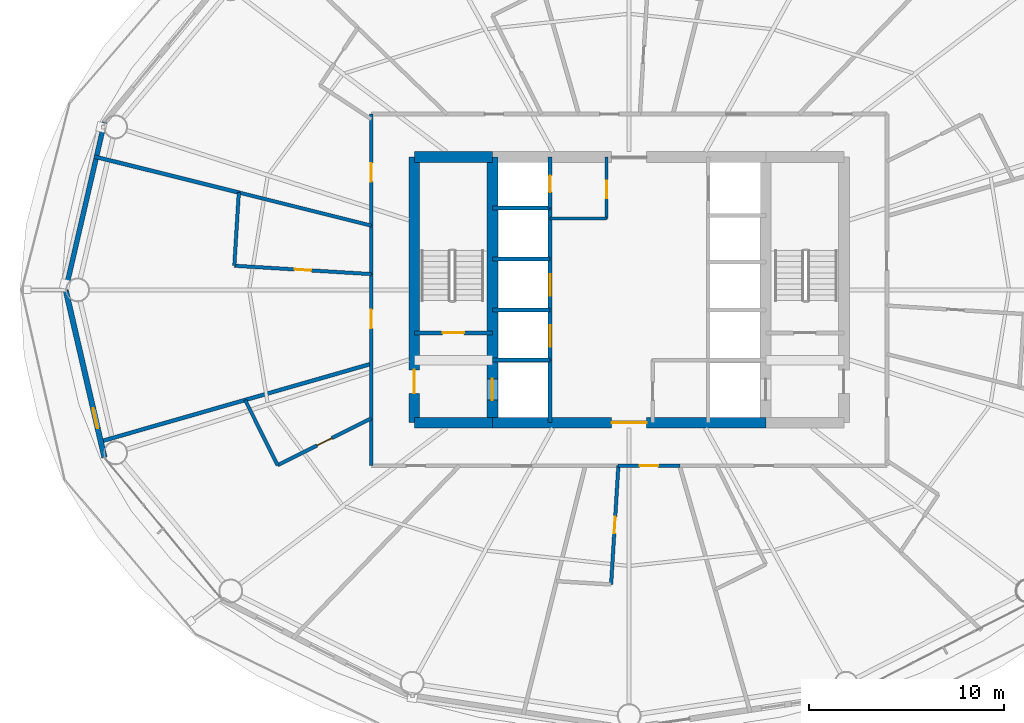
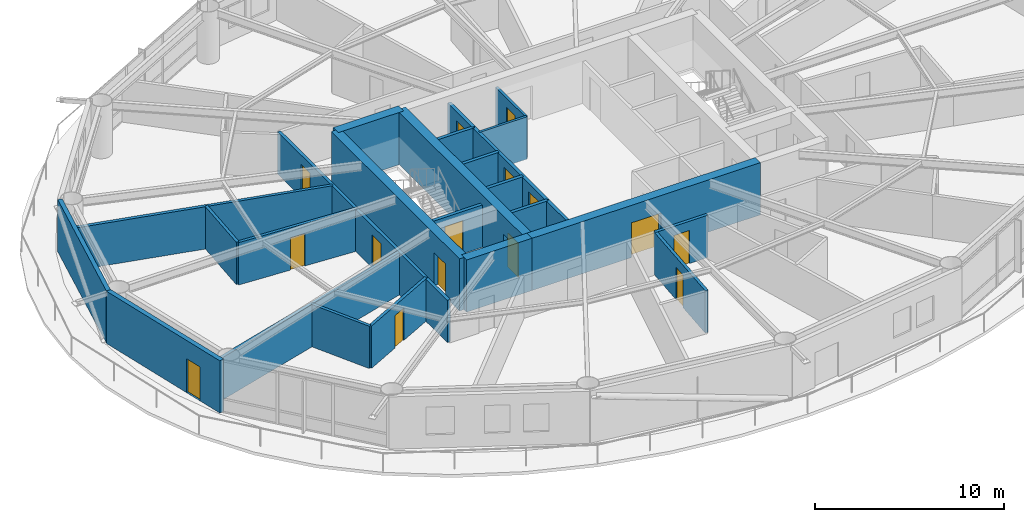
# One storey, part 18 of 24: 28 walls, 15 doors, 15 openings.
"""IFC4 building model written with IfcOpenShell, lengths in metres."""

from ifc_helpers import new_model, si_unit, direction, frame, frame_2d, origin, place, context, subcontext, project, spatial, rectangle, extrude, material, layer, layer_set, type_object, element, fill, save


model = new_model("IFC4")

# Units and contexts
model_context = context("Model", 3, precision=1e-05, world=origin(), true_north=direction((0.0, 1.0)))
body_context = subcontext(model_context, "Body", "Model", "MODEL_VIEW")
ifc_project = project(units=[si_unit("LENGTHUNIT", "METRE"), si_unit("AREAUNIT", "SQUARE_METRE"), si_unit("VOLUMEUNIT", "CUBIC_METRE"), si_unit("PLANEANGLEUNIT", "RADIAN"), si_unit("MASSUNIT", "GRAM", prefix="KILO")], contexts=[model_context])

# Site, building, storey
site_placement = place(None, origin())
site = spatial("IfcSite", under=ifc_project, at=site_placement, CompositionType="ELEMENT")
building_placement = place(site_placement, origin())
building = spatial("IfcBuilding", under=site, at=building_placement, Name="Sarneth Arch Tower", CompositionType="ELEMENT")
storey_placement = place(building_placement, frame((0.0, 0.0, 102.0)))
storey = spatial("IfcBuildingStorey", under=building, at=storey_placement, Name="L25", CompositionType="ELEMENT", Elevation=102.0)

# Wall
ifc_material_1 = material(Name="Concrete C60/75", Category="concrete")
ifc_layer_1 = layer(ifc_material_1, 0.550048828125)
ifc_layer_set_1 = layer_set([ifc_layer_1], Name="Concrete C60/75")
wall_type_1 = type_object("IfcWallType", Name="WALL-CORE-550", PredefinedType="SHEAR", material=ifc_layer_set_1)
wall_1_placement = place(storey_placement, frame((37.0, 35.199951171875, 0.0), z_axis=(0.0, 0.0, 1.0), x_axis=(1.0, 0.0, 0.0)))
element("IfcWall", 1, at=wall_1_placement, inside=storey, type_object=wall_type_1, Name="L25 Core shear wall S-W", PredefinedType="SHEAR", context=body_context, shape_type="SweptSolid", body=[
    extrude(rectangle(XDim=4.0, YDim=0.550048828125, at=frame_2d((2.0, 0.0))), origin(), (0.0, 0.0, 1.0), 3.3798828125),
])

# Wall, opening, door
wall_2_placement = place(storey_placement, frame((41.0, 35.199951171875, 0.0), z_axis=(0.0, 0.0, 1.0), x_axis=(1.0, 0.0, 0.0)))
wall_2 = element("IfcWall", 2, at=wall_2_placement, inside=storey, type_object=wall_type_1, Name="L25 Core shear wall S-M", PredefinedType="SHEAR", context=body_context, shape_type="SweptSolid", body=[
    extrude(rectangle(XDim=14.0, YDim=0.550048828125, at=frame_2d((7.0, 0.0))), origin(), (0.0, 0.0, 1.0), 3.3798828125),
])
opening_1_placement = place(wall_2_placement, frame((6.10009765625, 0.0, 0.0)))
opening_1 = element("IfcOpeningElement", 3, at=opening_1_placement, cuts=wall_2, Name="Opening FD-01", PredefinedType="OPENING", context=body_context, shape_type="SweptSolid", body=[
    extrude(rectangle(XDim=1.800048828125, YDim=2.25, at=frame_2d((0.89990234375, 1.125))), frame((0.0, 0.284912109375, 0.0), z_axis=(0.0, -1.0, 0.0), x_axis=(1.0, 0.0, 0.0)), (0.0, 0.0, 1.0), 0.570068359375),
])
ifc_material_2 = material(Name="Galvanised Steel S275 fire door set", Category="steel")
door_type_1 = type_object("IfcDoorType", Name="DR-FD90-1800", OperationType="DOUBLE_DOOR_SINGLE_SWING", PredefinedType="DOOR", material=ifc_material_2)
door_1_placement = place(opening_1_placement, origin())
door_1 = element("IfcDoor", 4, at=door_1_placement, inside=storey, type_object=door_type_1, Name="L25 Central lift lobby south door", OperationType="DOUBLE_DOOR_SINGLE_SWING", OverallHeight=2.25, OverallWidth=1.800048828125, PredefinedType="DOOR", context=body_context, shape_type="SweptSolid", body=[
    extrude(rectangle(XDim=1.800048828125, YDim=2.25, at=frame_2d((0.89990234375, 1.125))), frame((0.0, 0.02490234375, 0.0), z_axis=(0.0, -1.0, 0.0), x_axis=(1.0, 0.0, 0.0)), (0.0, 0.0, 1.0), 0.050048828125),
])
fill(opening_1, door_1)

# Wall
wall_3_placement = place(storey_placement, frame((37.0, 48.800048828125, 0.0), z_axis=(0.0, 0.0, 1.0), x_axis=(1.0, 0.0, 0.0)))
element("IfcWall", 5, at=wall_3_placement, inside=storey, type_object=wall_type_1, Name="L25 Core shear wall N-W", PredefinedType="SHEAR", context=body_context, shape_type="SweptSolid", body=[
    extrude(rectangle(XDim=4.0, YDim=0.550048828125, at=frame_2d((2.0, 0.0))), origin(), (0.0, 0.0, 1.0), 3.3798828125),
])

# Wall, opening, door
wall_4_placement = place(storey_placement, frame((37.0, 35.199951171875, 0.0), z_axis=(0.0, 0.0, 1.0), x_axis=(0.0, 1.0, 0.0)))
wall_4 = element("IfcWall", 6, at=wall_4_placement, inside=storey, type_object=wall_type_1, Name="L25 Core shear wall W", PredefinedType="SHEAR", context=body_context, shape_type="SweptSolid", body=[
    extrude(rectangle(XDim=13.60009765625, YDim=0.550048828125, at=frame_2d((6.800048828125, 0.0))), origin(), (0.0, 0.0, 1.0), 3.3798828125),
])
opening_2_placement = place(wall_4_placement, frame((1.5, 0.0, 0.0)))
opening_2 = element("IfcOpeningElement", 7, at=opening_2_placement, cuts=wall_4, Name="Opening FD-02", PredefinedType="OPENING", context=body_context, shape_type="SweptSolid", body=[
    extrude(rectangle(XDim=1.199951171875, YDim=2.14990234375, at=frame_2d((0.60009765625, 1.074951171875))), frame((0.0, 0.284912109375, 0.0), z_axis=(0.0, -1.0, 0.0), x_axis=(1.0, 0.0, 0.0)), (0.0, 0.0, 1.0), 0.570068359375),
])
ifc_material_3 = material(Name="Galvanised Steel S275 fire door set", Category="steel")
door_type_2 = type_object("IfcDoorType", Name="DR-FD90-1200", OperationType="SINGLE_SWING_LEFT", PredefinedType="DOOR", material=ifc_material_3)
door_2_placement = place(opening_2_placement, origin())
door_2 = element("IfcDoor", 8, at=door_2_placement, inside=storey, type_object=door_type_2, Name="L25 Firefighting lobby 1 exit door", OperationType="SINGLE_SWING_LEFT", OverallHeight=2.14990234375, OverallWidth=1.199951171875, PredefinedType="DOOR", context=body_context, shape_type="SweptSolid", body=[
    extrude(rectangle(XDim=1.199951171875, YDim=2.14990234375, at=frame_2d((0.60009765625, 1.074951171875))), frame((0.0, 0.02490234375, 0.0), z_axis=(0.0, -1.0, 0.0), x_axis=(1.0, 0.0, 0.0)), (0.0, 0.0, 1.0), 0.050048828125),
])
fill(opening_2, door_2)

wall_5_placement = place(storey_placement, frame((41.0, 35.199951171875, 0.0), z_axis=(0.0, 0.0, 1.0), x_axis=(0.0, 1.0, 0.0)))
wall_5 = element("IfcWall", 9, at=wall_5_placement, inside=storey, type_object=wall_type_1, Name="L25 Core shear wall WEB-W", PredefinedType="SHEAR", context=body_context, shape_type="SweptSolid", body=[
    extrude(rectangle(XDim=13.60009765625, YDim=0.550048828125, at=frame_2d((6.800048828125, 0.0))), origin(), (0.0, 0.0, 1.0), 3.3798828125),
])
opening_3_placement = place(wall_5_placement, frame((1.14990234375, 0.0, 0.0)))
opening_3 = element("IfcOpeningElement", 10, at=opening_3_placement, cuts=wall_5, Name="Opening LD-1", PredefinedType="OPENING", context=body_context, shape_type="SweptSolid", body=[
    extrude(rectangle(XDim=1.10009765625, YDim=2.199951171875, at=frame_2d((0.550048828125, 1.10009765625))), frame((0.0, 0.284912109375, 0.0), z_axis=(0.0, -1.0, 0.0), x_axis=(1.0, 0.0, 0.0)), (0.0, 0.0, 1.0), 0.570068359375),
])
ifc_material_4 = material(Name="Brushed Stainless Steel 304 lift landing door", Category="steel")
door_type_3 = type_object("IfcDoorType", Name="DR-LIFT-SLIDE-1100", OperationType="SLIDING_TO_LEFT", PredefinedType="DOOR", material=ifc_material_4)
door_3_placement = place(opening_3_placement, origin())
door_3 = element("IfcDoor", 11, at=door_3_placement, inside=storey, type_object=door_type_3, Name="L25 Firefighting lift landing door FL-1", OperationType="SLIDING_TO_LEFT", OverallHeight=2.199951171875, OverallWidth=1.10009765625, PredefinedType="DOOR", context=body_context, shape_type="SweptSolid", body=[
    extrude(rectangle(XDim=1.10009765625, YDim=2.199951171875, at=frame_2d((0.550048828125, 1.10009765625))), frame((0.0, 0.02490234375, 0.0), z_axis=(0.0, -1.0, 0.0), x_axis=(1.0, 0.0, 0.0)), (0.0, 0.0, 1.0), 0.050048828125),
])
fill(opening_3, door_3)

ifc_material_5 = material(Name="Double steel-stud corridor fire wall", Category="steel")
ifc_layer_2 = layer(ifc_material_5, 0.18994140625)
ifc_layer_set_2 = layer_set([ifc_layer_2], Name="Double steel-stud corridor fire wall")
wall_type_2 = type_object("IfcWallType", Name="WALL-CORR-190", PredefinedType="PARTITIONING", material=ifc_layer_set_2)
wall_6_placement = place(storey_placement, frame((34.800048828125, 42.775146484375, 0.0), z_axis=(0.0, 0.0, 1.0), x_axis=(0.0, 1.0, 0.0)))
wall_6 = element("IfcWall", 12, at=wall_6_placement, inside=storey, type_object=wall_type_2, Name="L25 Interior partition W-L25-TP-009", PredefinedType="PARTITIONING", context=body_context, shape_type="SweptSolid", body=[
    extrude(rectangle(XDim=8.224853515625, YDim=0.18994140625, at=frame_2d((4.1123046875, 0.0))), origin(), (0.0, 0.0, 1.0), 2.739990234375),
])
opening_4_placement = place(wall_6_placement, frame((4.7666015625, 0.0, 0.0)))
opening_4 = element("IfcOpeningElement", 13, at=opening_4_placement, cuts=wall_6, Name="Opening FD-09", PredefinedType="OPENING", context=body_context, shape_type="SweptSolid", body=[
    extrude(rectangle(XDim=0.949951171875, YDim=2.14990234375, at=frame_2d((0.47509765625, 1.074951171875))), frame((0.0, 0.10498046875, 0.0), z_axis=(0.0, -1.0, 0.0), x_axis=(1.0, 0.0, 0.0)), (0.0, 0.0, 1.0), 0.2099609375),
])
ifc_material_6 = material(Name="Hardwood timber hotel entrance fire door", Category="wood")
door_type_4 = type_object("IfcDoorType", Name="DR-FD60-950", OperationType="SINGLE_SWING_RIGHT", PredefinedType="DOOR", material=ifc_material_6)
door_4_placement = place(opening_4_placement, origin())
door_4 = element("IfcDoor", 14, at=door_4_placement, inside=storey, type_object=door_type_4, Name="L25 Interior door DR-L25-KEY-05", OperationType="SINGLE_SWING_LEFT", OverallHeight=2.14990234375, OverallWidth=0.949951171875, PredefinedType="DOOR", context=body_context, shape_type="SweptSolid", body=[
    extrude(rectangle(XDim=0.949951171875, YDim=2.14990234375, at=frame_2d((0.47509765625, 1.074951171875))), frame((0.0, 0.02490234375, 0.0), z_axis=(0.0, -1.0, 0.0), x_axis=(1.0, 0.0, 0.0)), (0.0, 0.0, 1.0), 0.050048828125),
])
fill(opening_4, door_4)

wall_7_placement = place(storey_placement, frame((34.800048828125, 33.0, 0.0), z_axis=(0.0, 0.0, 1.0), x_axis=(0.0, 1.0, 0.0)))
wall_7 = element("IfcWall", 15, at=wall_7_placement, inside=storey, type_object=wall_type_2, Name="L25 Interior partition W-L25-TP-012", PredefinedType="PARTITIONING", context=body_context, shape_type="SweptSolid", body=[
    extrude(rectangle(XDim=9.83935546875, YDim=0.18994140625, at=frame_2d((4.919677734375, 0.0))), origin(), (0.0, 0.0, 1.0), 2.739990234375),
])
opening_5_placement = place(wall_7_placement, frame((7.035400390625, 0.0, 0.0)))
opening_5 = element("IfcOpeningElement", 16, at=opening_5_placement, cuts=wall_7, Name="Opening FD-09", PredefinedType="OPENING", context=body_context, shape_type="SweptSolid", body=[
    extrude(rectangle(XDim=0.949951171875, YDim=2.14990234375, at=frame_2d((0.47509765625, 1.074951171875))), frame((0.0, 0.10498046875, 0.0), z_axis=(0.0, -1.0, 0.0), x_axis=(1.0, 0.0, 0.0)), (0.0, 0.0, 1.0), 0.2099609375),
])
door_5_placement = place(opening_5_placement, origin())
door_5 = element("IfcDoor", 17, at=door_5_placement, inside=storey, type_object=door_type_4, Name="L25 Interior door DR-L25-KEY-06", OperationType="SINGLE_SWING_RIGHT", OverallHeight=2.14990234375, OverallWidth=0.949951171875, PredefinedType="DOOR", context=body_context, shape_type="SweptSolid", body=[
    extrude(rectangle(XDim=0.949951171875, YDim=2.14990234375, at=frame_2d((0.47509765625, 1.074951171875))), frame((0.0, 0.02490234375, 0.0), z_axis=(0.0, -1.0, 0.0), x_axis=(1.0, 0.0, 0.0)), (0.0, 0.0, 1.0), 0.050048828125),
])
fill(opening_5, door_5)

wall_8_placement = place(storey_placement, frame((50.614013671875, 33.0, 0.0), z_axis=(0.0, 0.0, 1.0), x_axis=(-1.0, 0.0, 0.0)))
wall_8 = element("IfcWall", 18, at=wall_8_placement, inside=storey, type_object=wall_type_2, Name="L25 Interior partition W-L25-TP-018", PredefinedType="PARTITIONING", context=body_context, shape_type="SweptSolid", body=[
    extrude(rectangle(XDim=3.196533203125, YDim=0.18994140625, at=frame_2d((1.59814453125, 0.0))), origin(), (0.0, 0.0, 1.0), 2.739990234375),
])
opening_6_placement = place(wall_8_placement, frame((1.123291015625, 0.0, 0.0)))
opening_6 = element("IfcOpeningElement", 19, at=opening_6_placement, cuts=wall_8, Name="Opening FD-09", PredefinedType="OPENING", context=body_context, shape_type="SweptSolid", body=[
    extrude(rectangle(XDim=0.949951171875, YDim=2.14990234375, at=frame_2d((0.47509765625, 1.074951171875))), frame((0.0, 0.10498046875, 0.0), z_axis=(0.0, -1.0, 0.0), x_axis=(1.0, 0.0, 0.0)), (0.0, 0.0, 1.0), 0.2099609375),
])
door_6_placement = place(opening_6_placement, origin())
door_6 = element("IfcDoor", 20, at=door_6_placement, inside=storey, type_object=door_type_4, Name="L25 Interior door DR-L25-KEY-09", OperationType="SINGLE_SWING_RIGHT", OverallHeight=2.14990234375, OverallWidth=0.949951171875, PredefinedType="DOOR", context=body_context, shape_type="SweptSolid", body=[
    extrude(rectangle(XDim=0.949951171875, YDim=2.14990234375, at=frame_2d((0.47509765625, 1.074951171875))), frame((0.0, 0.02490234375, 0.0), z_axis=(0.0, -1.0, 0.0), x_axis=(1.0, 0.0, 0.0)), (0.0, 0.0, 1.0), 0.050048828125),
])
fill(opening_6, door_6)

# Wall
ifc_material_7 = material(Name="Extruded terracotta rainscreen on Concrete C40/50 backing", Category="masonry")
ifc_layer_3 = layer(ifc_material_7, 0.25)
ifc_layer_set_3 = layer_set([ifc_layer_3], Name="Extruded terracotta rainscreen on Concrete C40/50 backing")
wall_type_3 = type_object("IfcWallType", Name="WALL-EXT-SPAND-250", PredefinedType="SOLIDWALL", material=ifc_layer_set_3)
wall_9_placement = place(storey_placement, frame((21.138671875, 50.58349609375, 0.0), z_axis=(0.0, 0.0, 1.0), x_axis=(-0.22558597182, -0.974223264616, 0.0)))
element("IfcWall", 21, at=wall_9_placement, inside=storey, type_object=wall_type_3, Name="L25 Terracotta perimeter wall 08", PredefinedType="SOLIDWALL", context=body_context, shape_type="SweptSolid", body=[
    extrude(rectangle(XDim=8.810546875, YDim=0.25, at=frame_2d((4.4052734375, 0.0))), origin(), (0.0, 0.0, 1.0), 3.3798828125),
])

# Wall, opening, door
ifc_material_8 = material(Name="Extruded terracotta rainscreen on Concrete C40/50 backing", Category="masonry")
ifc_layer_4 = layer(ifc_material_8, 0.280029296875)
ifc_layer_set_4 = layer_set([ifc_layer_4], Name="Extruded terracotta rainscreen on Concrete C40/50 backing")
wall_type_4 = type_object("IfcWallType", Name="WALL-EXT-TERRA-280", PredefinedType="SOLIDWALL", material=ifc_layer_set_4)
wall_10_placement = place(storey_placement, frame((19.151123046875, 42.0, 0.0), z_axis=(0.0, 0.0, 1.0), x_axis=(0.22558597182, -0.974223264616, 0.0)))
wall_10 = element("IfcWall", 22, at=wall_10_placement, inside=storey, type_object=wall_type_4, Name="L25 Terracotta perimeter wall 09", PredefinedType="SOLIDWALL", context=body_context, shape_type="SweptSolid", body=[
    extrude(rectangle(XDim=8.810546875, YDim=0.280029296875, at=frame_2d((4.4052734375, 0.0))), origin(), (0.0, 0.0, 1.0), 3.3798828125),
])
opening_7_placement = place(wall_10_placement, frame((6.224609375, 0.0, 0.0)))
opening_7 = element("IfcOpeningElement", 23, at=opening_7_placement, cuts=wall_10, Name="Opening BD-4", PredefinedType="OPENING", context=body_context, shape_type="SweptSolid", body=[
    extrude(rectangle(XDim=1.050048828125, YDim=2.199951171875, at=frame_2d((0.52490234375, 1.10009765625))), frame((0.0, 0.14990234375, 0.0), z_axis=(0.0, -1.0, 0.0), x_axis=(1.0, 0.0, 0.0)), (0.0, 0.0, 1.0), 0.300048828125),
])
ifc_material_9 = material(Name="Thermally broken Aluminium 6063-T6 and laminated safety glass", Category="aluminium")
door_type_5 = type_object("IfcDoorType", Name="DR-BALC-GLZ-1050", OperationType="SINGLE_SWING_RIGHT", PredefinedType="DOOR", material=ifc_material_9)
door_7_placement = place(opening_7_placement, origin())
door_7 = element("IfcDoor", 24, at=door_7_placement, inside=storey, type_object=door_type_5, Name="L25 Balcony glazed door 09", OperationType="SINGLE_SWING_RIGHT", OverallHeight=2.199951171875, OverallWidth=1.050048828125, PredefinedType="DOOR", context=body_context, shape_type="SweptSolid", body=[
    extrude(rectangle(XDim=1.050048828125, YDim=2.199951171875, at=frame_2d((0.52490234375, 1.10009765625))), frame((0.0, 0.02490234375, 0.0), z_axis=(0.0, -1.0, 0.0), x_axis=(1.0, 0.0, 0.0)), (0.0, 0.0, 1.0), 0.050048828125),
])
fill(opening_7, door_7)

# Wall
ifc_material_10 = material(Name="Acoustic gypsum stud partition", Category="gypsum")
ifc_layer_5 = layer(ifc_material_10, 0.14990234375)
ifc_layer_set_5 = layer_set([ifc_layer_5], Name="Acoustic gypsum stud partition")
wall_type_5 = type_object("IfcWallType", Name="WALL-PART-150", PredefinedType="PARTITIONING", material=ifc_layer_set_5)
wall_11_placement = place(storey_placement, frame((43.949951171875, 45.64990234375, 0.0), z_axis=(0.0, 0.0, 1.0), x_axis=(1.0, 0.0, 0.0)))
element("IfcWall", 25, at=wall_11_placement, inside=storey, type_object=wall_type_5, Name="L25 Interior partition W-L25-CSUP1-S", PredefinedType="PARTITIONING", context=body_context, shape_type="SweptSolid", body=[
    extrude(rectangle(XDim=2.900146484375, YDim=0.14990234375, at=frame_2d((1.4501953125, 0.0))), origin(), (0.0, 0.0, 1.0), 2.739990234375),
])

# Wall, opening, door
wall_12_placement = place(storey_placement, frame((46.85009765625, 45.64990234375, 0.0), z_axis=(0.0, 0.0, 1.0), x_axis=(0.0, 1.0, 0.0)))
wall_12 = element("IfcWall", 26, at=wall_12_placement, inside=storey, type_object=wall_type_5, Name="L25 Interior partition W-L25-CSUP1-E", PredefinedType="PARTITIONING", context=body_context, shape_type="SweptSolid", body=[
    extrude(rectangle(XDim=3.150146484375, YDim=0.14990234375, at=frame_2d((1.5751953125, 0.0))), origin(), (0.0, 0.0, 1.0), 2.739990234375),
])
opening_8_placement = place(wall_12_placement, frame((1.050048828125, 0.0, 0.0)))
opening_8 = element("IfcOpeningElement", 27, at=opening_8_placement, cuts=wall_12, Name="Opening FD-10", PredefinedType="OPENING", context=body_context, shape_type="SweptSolid", body=[
    extrude(rectangle(XDim=0.89990234375, YDim=2.14990234375, at=frame_2d((0.449951171875, 1.074951171875))), frame((0.0, 0.0849609375, 0.0), z_axis=(0.0, -1.0, 0.0), x_axis=(1.0, 0.0, 0.0)), (0.0, 0.0, 1.0), 0.169921875),
])
ifc_material_11 = material(Name="Galvanised Steel S275 riser/service fire door", Category="steel")
door_type_6 = type_object("IfcDoorType", Name="DR-FD60-900", OperationType="SINGLE_SWING_LEFT", PredefinedType="DOOR", material=ifc_material_11)
door_8_placement = place(opening_8_placement, origin())
door_8 = element("IfcDoor", 28, at=door_8_placement, inside=storey, type_object=door_type_6, Name="L25 Interior door DR-L25-CSUP1", OperationType="SINGLE_SWING_LEFT", OverallHeight=2.14990234375, OverallWidth=0.89990234375, PredefinedType="DOOR", context=body_context, shape_type="SweptSolid", body=[
    extrude(rectangle(XDim=0.89990234375, YDim=2.14990234375, at=frame_2d((0.449951171875, 1.074951171875))), frame((0.0, 0.02490234375, 0.0), z_axis=(0.0, -1.0, 0.0), x_axis=(1.0, 0.0, 0.0)), (0.0, 0.0, 1.0), 0.050048828125),
])
fill(opening_8, door_8)

ifc_material_12 = material(Name="Moisture-resistant plumbing chase wall", Category="gypsum")
ifc_layer_6 = layer(ifc_material_12, 0.179931640625)
ifc_layer_set_6 = layer_set([ifc_layer_6], Name="Moisture-resistant plumbing chase wall")
wall_type_6 = type_object("IfcWallType", Name="WALL-PLUMB-180", PredefinedType="PLUMBINGWALL", material=ifc_layer_set_6)
wall_13_placement = place(storey_placement, frame((34.800048828125, 42.807373046875, 0.0), z_axis=(0.0, 0.0, 1.0), x_axis=(-0.998134708281, 0.061050013314, 0.0)))
wall_13 = element("IfcWall", 29, at=wall_13_placement, inside=storey, type_object=wall_type_6, Name="L25 Interior partition W-L25-TP-046", PredefinedType="PLUMBINGWALL", context=body_context, shape_type="SweptSolid", body=[
    extrude(rectangle(XDim=7.0263671875, YDim=0.179931640625, at=frame_2d((3.51318359375, 0.0))), origin(), (0.0, 0.0, 1.0), 2.739990234375),
])
opening_9_placement = place(wall_13_placement, frame((3.088134765625, 0.0, 0.0)))
opening_9 = element("IfcOpeningElement", 30, at=opening_9_placement, cuts=wall_13, Name="Opening ID-02", PredefinedType="OPENING", context=body_context, shape_type="SweptSolid", body=[
    extrude(rectangle(XDim=0.85009765625, YDim=2.10009765625, at=frame_2d((0.425048828125, 1.050048828125))), frame((0.0, 0.099853515625, 0.0), z_axis=(0.0, -1.0, 0.0), x_axis=(1.0, 0.0, 0.0)), (0.0, 0.0, 1.0), 0.199951171875),
])
ifc_material_13 = material(Name="Moisture-resistant bathroom timber door", Category="wood")
door_type_7 = type_object("IfcDoorType", Name="DR-INT-850", OperationType="SINGLE_SWING_RIGHT", PredefinedType="DOOR", material=ifc_material_13)
door_9_placement = place(opening_9_placement, origin())
door_9 = element("IfcDoor", 31, at=door_9_placement, inside=storey, type_object=door_type_7, Name="L25 Interior door DR-L25-ENS-06", OperationType="SINGLE_SWING_RIGHT", OverallHeight=2.10009765625, OverallWidth=0.85009765625, PredefinedType="DOOR", context=body_context, shape_type="SweptSolid", body=[
    extrude(rectangle(XDim=0.85009765625, YDim=2.10009765625, at=frame_2d((0.425048828125, 1.050048828125))), frame((0.0, 0.02490234375, 0.0), z_axis=(0.0, -1.0, 0.0), x_axis=(1.0, 0.0, 0.0)), (0.0, 0.0, 1.0), 0.050048828125),
])
fill(opening_9, door_9)

# Wall
wall_14_placement = place(storey_placement, frame((28.015869140625, 46.982666015625, 0.0), z_axis=(0.0, 0.0, 1.0), x_axis=(0.970290206094, -0.241944034764, 0.0)))
element("IfcWall", 32, at=wall_14_placement, inside=storey, type_object=wall_type_6, Name="L25 Interior partition W-L25-TP-045", PredefinedType="PLUMBINGWALL", context=body_context, shape_type="SweptSolid", body=[
    extrude(rectangle(XDim=6.991943359375, YDim=0.179931640625, at=frame_2d((3.49609375, 0.0))), origin(), (0.0, 0.0, 1.0), 2.739990234375),
])

# Wall, opening, door
wall_15_placement = place(storey_placement, frame((47.077392578125, 26.916259765625, 0.0), z_axis=(0.0, 0.0, 1.0), x_axis=(0.061044096749, 0.998135070144, 0.0)))
wall_15 = element("IfcWall", 33, at=wall_15_placement, inside=storey, type_object=wall_type_6, Name="L25 Interior partition W-L25-TP-056", PredefinedType="PLUMBINGWALL", context=body_context, shape_type="SweptSolid", body=[
    extrude(rectangle(XDim=6.09521484375, YDim=0.179931640625, at=frame_2d((3.047607421875, 0.0))), origin(), (0.0, 0.0, 1.0), 2.739990234375),
])
opening_10_placement = place(wall_15_placement, frame((2.62255859375, 0.0, 0.0)))
opening_10 = element("IfcOpeningElement", 34, at=opening_10_placement, cuts=wall_15, Name="Opening ID-02", PredefinedType="OPENING", context=body_context, shape_type="SweptSolid", body=[
    extrude(rectangle(XDim=0.85009765625, YDim=2.10009765625, at=frame_2d((0.425048828125, 1.050048828125))), frame((0.0, 0.099853515625, 0.0), z_axis=(0.0, -1.0, 0.0), x_axis=(1.0, 0.0, 0.0)), (0.0, 0.0, 1.0), 0.199951171875),
])
door_10_placement = place(opening_10_placement, origin())
door_10 = element("IfcDoor", 35, at=door_10_placement, inside=storey, type_object=door_type_7, Name="L25 Interior door DR-L25-ENS-09", OperationType="SINGLE_SWING_LEFT", OverallHeight=2.10009765625, OverallWidth=0.85009765625, PredefinedType="DOOR", context=body_context, shape_type="SweptSolid", body=[
    extrude(rectangle(XDim=0.85009765625, YDim=2.10009765625, at=frame_2d((0.425048828125, 1.050048828125))), frame((0.0, 0.02490234375, 0.0), z_axis=(0.0, -1.0, 0.0), x_axis=(1.0, 0.0, 0.0)), (0.0, 0.0, 1.0), 0.050048828125),
])
fill(opening_10, door_10)

wall_16_placement = place(storey_placement, frame((30.002197265625, 33.026611328125, 0.0), z_axis=(0.0, 0.0, 1.0), x_axis=(0.894936648514, 0.446193226244, 0.0)))
wall_16 = element("IfcWall", 36, at=wall_16_placement, inside=storey, type_object=wall_type_6, Name="L25 Interior partition W-L25-TP-051", PredefinedType="PLUMBINGWALL", context=body_context, shape_type="SweptSolid", body=[
    extrude(rectangle(XDim=5.361083984375, YDim=0.179931640625, at=frame_2d((2.6806640625, 0.0))), origin(), (0.0, 0.0, 1.0), 2.739990234375),
])
opening_11_placement = place(wall_16_placement, frame((2.255615234375, 0.0, 0.0)))
opening_11 = element("IfcOpeningElement", 37, at=opening_11_placement, cuts=wall_16, Name="Opening ID-02", PredefinedType="OPENING", context=body_context, shape_type="SweptSolid", body=[
    extrude(rectangle(XDim=0.85009765625, YDim=2.10009765625, at=frame_2d((0.425048828125, 1.050048828125))), frame((0.0, 0.099853515625, 0.0), z_axis=(0.0, -1.0, 0.0), x_axis=(1.0, 0.0, 0.0)), (0.0, 0.0, 1.0), 0.199951171875),
])
door_11_placement = place(opening_11_placement, origin())
door_11 = element("IfcDoor", 38, at=door_11_placement, inside=storey, type_object=door_type_7, Name="L25 Interior door DR-L25-ENS-07", OperationType="SINGLE_SWING_RIGHT", OverallHeight=2.10009765625, OverallWidth=0.85009765625, PredefinedType="DOOR", context=body_context, shape_type="SweptSolid", body=[
    extrude(rectangle(XDim=0.85009765625, YDim=2.10009765625, at=frame_2d((0.425048828125, 1.050048828125))), frame((0.0, 0.02490234375, 0.0), z_axis=(0.0, -1.0, 0.0), x_axis=(1.0, 0.0, 0.0)), (0.0, 0.0, 1.0), 0.050048828125),
])
fill(opening_11, door_11)

# Walls
wall_17_placement = place(storey_placement, frame((27.786865234375, 43.236328125, 0.0), z_axis=(0.0, 0.0, 1.0), x_axis=(0.061013519028, 0.998136939751, 0.0)))
element("IfcWall", 39, at=wall_17_placement, inside=storey, type_object=wall_type_6, Name="L25 Interior partition W-L25-TP-047", PredefinedType="PLUMBINGWALL", context=body_context, shape_type="SweptSolid", body=[
    extrude(rectangle(XDim=3.75341796875, YDim=0.179931640625, at=frame_2d((1.876708984375, 0.0))), origin(), (0.0, 0.0, 1.0), 2.739990234375),
])
wall_18_placement = place(storey_placement, frame((28.3388671875, 36.3623046875, 0.0), z_axis=(0.0, 0.0, 1.0), x_axis=(0.446243949247, -0.894911357488, 0.0)))
element("IfcWall", 40, at=wall_18_placement, inside=storey, type_object=wall_type_6, Name="L25 Interior partition W-L25-TP-050", PredefinedType="PLUMBINGWALL", context=body_context, shape_type="SweptSolid", body=[
    extrude(rectangle(XDim=3.727294921875, YDim=0.179931640625, at=frame_2d((1.86376953125, 0.0))), origin(), (0.0, 0.0, 1.0), 2.739990234375),
])

# Wall, opening, door
ifc_material_14 = material(Name="Aerated concrete blockwork C25/30", Category="masonry")
ifc_layer_7 = layer(ifc_material_14, 0.199951171875)
ifc_layer_set_7 = layer_set([ifc_layer_7], Name="Aerated concrete blockwork C25/30")
wall_type_7 = type_object("IfcWallType", Name="WALL-SHAFT-200", PredefinedType="SOLIDWALL", material=ifc_layer_set_7)
wall_19_placement = place(storey_placement, frame((37.0, 39.800048828125, 0.0), z_axis=(0.0, 0.0, 1.0), x_axis=(1.0, 0.0, 0.0)))
wall_19 = element("IfcWall", 41, at=wall_19_placement, inside=storey, type_object=wall_type_7, Name="L25 Interior partition W-L25-ST1-S", PredefinedType="SOLIDWALL", context=body_context, shape_type="SweptSolid", body=[
    extrude(rectangle(XDim=4.0, YDim=0.199951171875, at=frame_2d((2.0, 0.0))), origin(), (0.0, 0.0, 1.0), 2.739990234375),
])
opening_12_placement = place(wall_19_placement, frame((1.449951171875, 0.0, 0.0)))
opening_12 = element("IfcOpeningElement", 42, at=opening_12_placement, cuts=wall_19, Name="Opening FD-03", PredefinedType="OPENING", context=body_context, shape_type="SweptSolid", body=[
    extrude(rectangle(XDim=1.10009765625, YDim=2.14990234375, at=frame_2d((0.550048828125, 1.074951171875))), frame((0.0, 0.10986328125, 0.0), z_axis=(0.0, -1.0, 0.0), x_axis=(1.0, 0.0, 0.0)), (0.0, 0.0, 1.0), 0.219970703125),
])
ifc_material_15 = material(Name="Galvanised Steel S275 fire door set", Category="steel")
door_type_8 = type_object("IfcDoorType", Name="DR-FD90-1100", OperationType="SINGLE_SWING_LEFT", PredefinedType="DOOR", material=ifc_material_15)
door_12_placement = place(opening_12_placement, origin())
door_12 = element("IfcDoor", 43, at=door_12_placement, inside=storey, type_object=door_type_8, Name="L25 Interior door DR-L25-ST1", OperationType="SINGLE_SWING_LEFT", OverallHeight=2.14990234375, OverallWidth=1.10009765625, PredefinedType="DOOR", context=body_context, shape_type="SweptSolid", body=[
    extrude(rectangle(XDim=1.10009765625, YDim=2.14990234375, at=frame_2d((0.550048828125, 1.074951171875))), frame((0.0, 0.02490234375, 0.0), z_axis=(0.0, -1.0, 0.0), x_axis=(1.0, 0.0, 0.0)), (0.0, 0.0, 1.0), 0.050048828125),
])
fill(opening_12, door_12)

# Walls
wall_20_placement = place(storey_placement, frame((43.949951171875, 35.199951171875, 0.0), z_axis=(0.0, 0.0, 1.0), x_axis=(0.0, 1.0, 0.0)))
element("IfcWall", 44, at=wall_20_placement, inside=storey, type_object=wall_type_7, Name="L25 Interior partition W-L25-FL1-E", PredefinedType="SOLIDWALL", context=body_context, shape_type="SweptSolid", body=[
    extrude(rectangle(XDim=3.199951171875, YDim=0.199951171875, at=frame_2d((1.60009765625, 0.0))), origin(), (0.0, 0.0, 1.0), 2.739990234375),
])
for number, where, z_axis, x_axis, name in (
    (45, (41.0, 38.39990234375, 0.0), (0.0, 0.0, 1.0), (1.0, 0.0, 0.0), "L25 Interior partition W-L25-FL1-N"),
    (46, (41.0, 46.199951171875, 0.0), (0.0, 0.0, 1.0), (1.0, 0.0, 0.0), "L25 Interior partition W-L25-RISER-S"),
):
    element("IfcWall", number, at=place(storey_placement, frame(where, z_axis=z_axis, x_axis=x_axis)), inside=storey, type_object=wall_type_7, Name=name, PredefinedType="SOLIDWALL", context=body_context, shape_type="SweptSolid", body=[
        extrude(rectangle(XDim=2.949951171875, YDim=0.199951171875, at=frame_2d((1.47509765625, 0.0))), origin(), (0.0, 0.0, 1.0), 2.739990234375),
    ])

# Wall, opening, door
wall_21_placement = place(storey_placement, frame((43.949951171875, 46.199951171875, 0.0), z_axis=(0.0, 0.0, 1.0), x_axis=(0.0, 1.0, 0.0)))
wall_21 = element("IfcWall", 47, at=wall_21_placement, inside=storey, type_object=wall_type_7, Name="L25 Interior partition W-L25-RISER-E", PredefinedType="SOLIDWALL", context=body_context, shape_type="SweptSolid", body=[
    extrude(rectangle(XDim=2.60009765625, YDim=0.199951171875, at=frame_2d((1.300048828125, 0.0))), origin(), (0.0, 0.0, 1.0), 2.739990234375),
])
opening_13_placement = place(wall_21_placement, frame((0.800048828125, 0.0, 0.0)))
opening_13 = element("IfcOpeningElement", 48, at=opening_13_placement, cuts=wall_21, Name="Opening FD-11", PredefinedType="OPENING", context=body_context, shape_type="SweptSolid", body=[
    extrude(rectangle(XDim=0.85009765625, YDim=2.14990234375, at=frame_2d((0.425048828125, 1.074951171875))), frame((0.0, 0.10986328125, 0.0), z_axis=(0.0, -1.0, 0.0), x_axis=(1.0, 0.0, 0.0)), (0.0, 0.0, 1.0), 0.219970703125),
])
ifc_material_16 = material(Name="Galvanised Steel S275 closet fire door", Category="steel")
door_type_9 = type_object("IfcDoorType", Name="DR-FD60-850", OperationType="SINGLE_SWING_LEFT", PredefinedType="DOOR", material=ifc_material_16)
door_13_placement = place(opening_13_placement, origin())
door_13 = element("IfcDoor", 49, at=door_13_placement, inside=storey, type_object=door_type_9, Name="L25 Lift landing door DR-L25-RISER", OperationType="SINGLE_SWING_LEFT", OverallHeight=2.14990234375, OverallWidth=0.85009765625, PredefinedType="DOOR", context=body_context, shape_type="SweptSolid", body=[
    extrude(rectangle(XDim=0.85009765625, YDim=2.14990234375, at=frame_2d((0.425048828125, 1.074951171875))), frame((0.0, 0.02490234375, 0.0), z_axis=(0.0, -1.0, 0.0), x_axis=(1.0, 0.0, 0.0)), (0.0, 0.0, 1.0), 0.050048828125),
])
fill(opening_13, door_13)

# Wall, openings, doors
wall_22_placement = place(storey_placement, frame((43.949951171875, 38.39990234375, 0.0), z_axis=(0.0, 0.0, 1.0), x_axis=(0.0, 1.0, 0.0)))
wall_22 = element("IfcWall", 50, at=wall_22_placement, inside=storey, type_object=wall_type_7, Name="L25 Interior partition W-L25-WESTBANK-FRONT", PredefinedType="SOLIDWALL", context=body_context, shape_type="SweptSolid", body=[
    extrude(rectangle(XDim=7.800048828125, YDim=0.199951171875, at=frame_2d((3.89990234375, 0.0))), origin(), (0.0, 0.0, 1.0), 2.739990234375),
])
opening_14_placement = place(wall_22_placement, frame((0.699951171875, 0.0, 0.0)))
opening_14 = element("IfcOpeningElement", 51, at=opening_14_placement, cuts=wall_22, Name="Opening LD-1", PredefinedType="OPENING", context=body_context, shape_type="SweptSolid", body=[
    extrude(rectangle(XDim=1.10009765625, YDim=2.199951171875, at=frame_2d((0.550048828125, 1.10009765625))), frame((0.0, 0.10986328125, 0.0), z_axis=(0.0, -1.0, 0.0), x_axis=(1.0, 0.0, 0.0)), (0.0, 0.0, 1.0), 0.219970703125),
])
opening_15_placement = place(wall_22_placement, frame((3.300048828125, 0.0, 0.0)))
opening_15 = element("IfcOpeningElement", 52, at=opening_15_placement, cuts=wall_22, Name="Opening LD-1", PredefinedType="OPENING", context=body_context, shape_type="SweptSolid", body=[
    extrude(rectangle(XDim=1.10009765625, YDim=2.199951171875, at=frame_2d((0.550048828125, 1.10009765625))), frame((0.0, 0.10986328125, 0.0), z_axis=(0.0, -1.0, 0.0), x_axis=(1.0, 0.0, 0.0)), (0.0, 0.0, 1.0), 0.219970703125),
])
door_14_placement = place(opening_14_placement, origin())
door_14 = element("IfcDoor", 53, at=door_14_placement, inside=storey, type_object=door_type_3, Name="L25 Lift landing door DR-L25-LD-PL1", OperationType="SLIDING_TO_LEFT", OverallHeight=2.199951171875, OverallWidth=1.10009765625, PredefinedType="DOOR", context=body_context, shape_type="SweptSolid", body=[
    extrude(rectangle(XDim=1.10009765625, YDim=2.199951171875, at=frame_2d((0.550048828125, 1.10009765625))), frame((0.0, 0.02490234375, 0.0), z_axis=(0.0, -1.0, 0.0), x_axis=(1.0, 0.0, 0.0)), (0.0, 0.0, 1.0), 0.050048828125),
])
fill(opening_14, door_14)
door_15_placement = place(opening_15_placement, origin())
door_15 = element("IfcDoor", 54, at=door_15_placement, inside=storey, type_object=door_type_3, Name="L25 Lift landing door DR-L25-LD-PL2", OperationType="SLIDING_TO_RIGHT", OverallHeight=2.199951171875, OverallWidth=1.10009765625, PredefinedType="DOOR", context=body_context, shape_type="SweptSolid", body=[
    extrude(rectangle(XDim=1.10009765625, YDim=2.199951171875, at=frame_2d((0.550048828125, 1.10009765625))), frame((0.0, 0.02490234375, 0.0), z_axis=(0.0, -1.0, 0.0), x_axis=(1.0, 0.0, 0.0)), (0.0, 0.0, 1.0), 0.050048828125),
])
fill(opening_15, door_15)

# Walls
for number, where, z_axis, x_axis, name in (
    (55, (41.0, 40.97998046875, 0.0), (0.0, 0.0, 1.0), (1.0, 0.0, 0.0), "L25 Interior partition W-L25-WB-DIV-4098"),
    (56, (41.0, 43.580078125, 0.0), (0.0, 0.0, 1.0), (1.0, 0.0, 0.0), "L25 Interior partition W-L25-WB-DIV-4358"),
):
    element("IfcWall", number, at=place(storey_placement, frame(where, z_axis=z_axis, x_axis=x_axis)), inside=storey, type_object=wall_type_7, Name=name, PredefinedType="SOLIDWALL", context=body_context, shape_type="SweptSolid", body=[
        extrude(rectangle(XDim=2.949951171875, YDim=0.199951171875, at=frame_2d((1.47509765625, 0.0))), origin(), (0.0, 0.0, 1.0), 2.739990234375),
    ])
ifc_material_17 = material(Name="Double steel-stud acoustic drywall", Category="steel")
ifc_layer_8 = layer(ifc_material_17, 0.199951171875)
ifc_layer_set_8 = layer_set([ifc_layer_8], Name="Double steel-stud acoustic drywall")
wall_type_8 = type_object("IfcWallType", Name="WALL-UNIT-200", PredefinedType="PARTITIONING", material=ifc_layer_set_8)
wall_23_placement = place(storey_placement, frame((34.800048828125, 38.215087890625, 0.0), z_axis=(0.0, 0.0, 1.0), x_axis=(-0.961261030421, -0.275639676741, 0.0)))
element("IfcWall", 57, at=wall_23_placement, inside=storey, type_object=wall_type_8, Name="L25 Interior partition W-L25-TP-048", PredefinedType="PARTITIONING", context=body_context, shape_type="SweptSolid", body=[
    extrude(rectangle(XDim=14.53125, YDim=0.199951171875, at=frame_2d((7.265625, 0.0))), origin(), (0.0, 0.0, 1.0), 2.739990234375),
])
wall_24_placement = place(storey_placement, frame((20.609375, 48.8291015625, 0.0), z_axis=(0.0, 0.0, 1.0), x_axis=(0.970302209845, -0.241895889938, 0.0)))
element("IfcWall", 58, at=wall_24_placement, inside=storey, type_object=wall_type_8, Name="L25 Interior partition W-L25-TP-044", PredefinedType="PARTITIONING", context=body_context, shape_type="SweptSolid", body=[
    extrude(rectangle(XDim=7.63330078125, YDim=0.199951171875, at=frame_2d((3.816650390625, 0.0))), origin(), (0.0, 0.0, 1.0), 2.739990234375),
])

save(model, "model.ifc")
